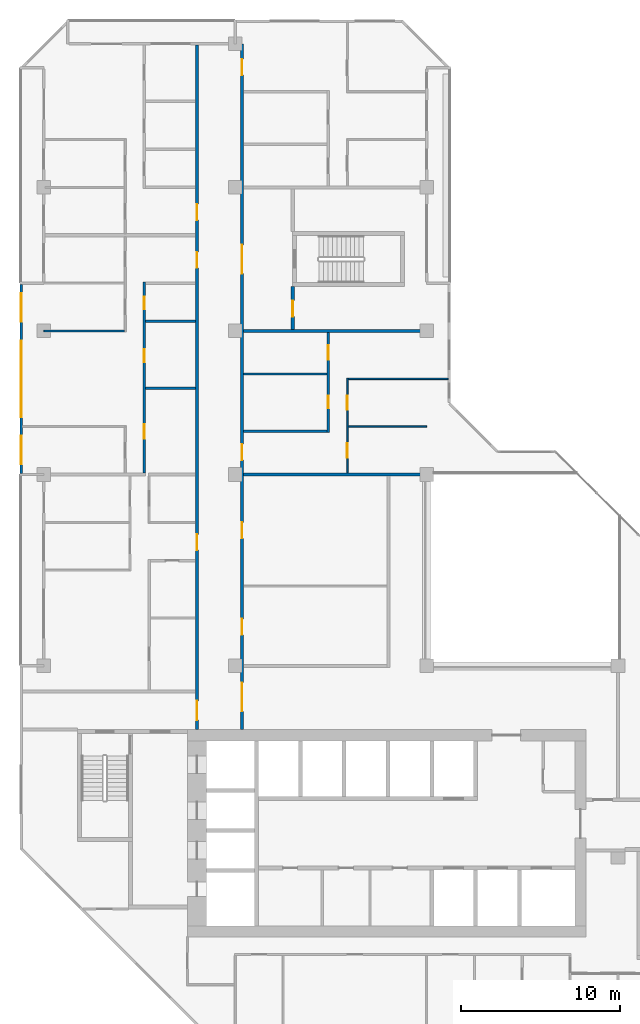
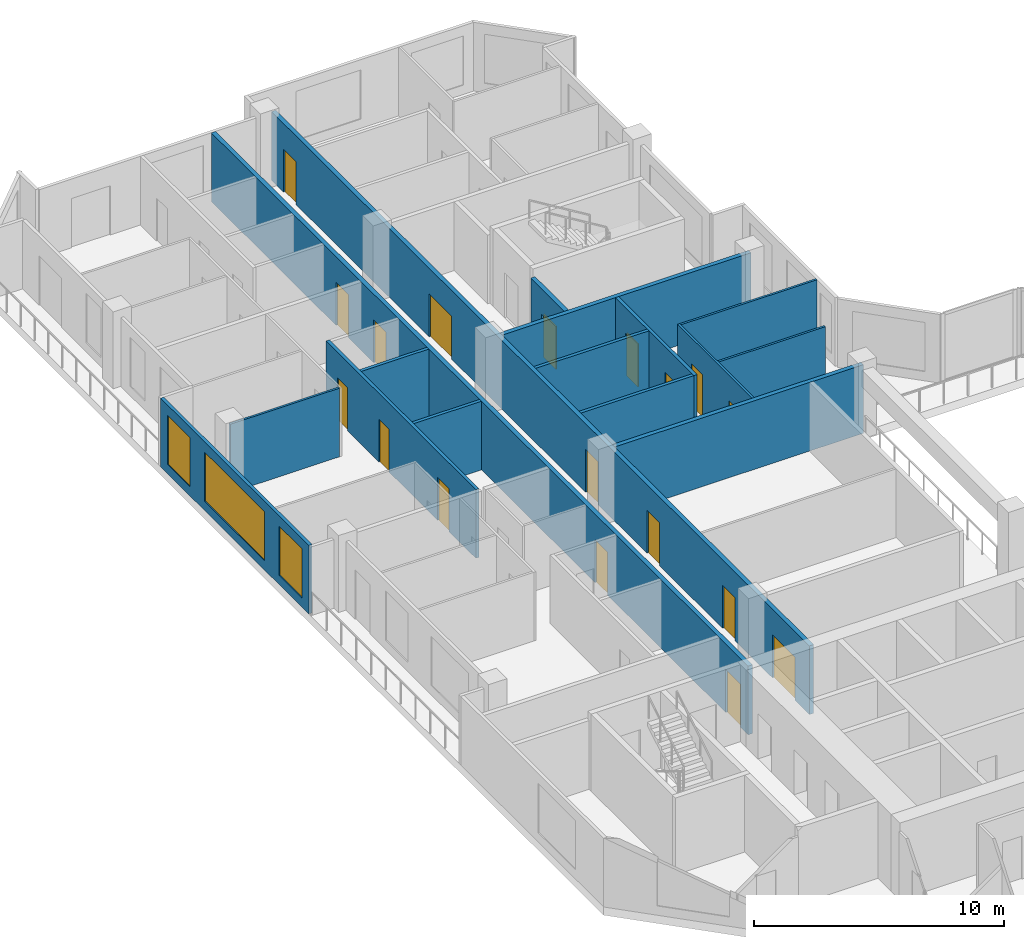
# One storey, part 9 of 14: 18 doors, 16 walls, 3 windows, 21 openings.
"""IFC4 building model written with IfcOpenShell, lengths in metres."""

from ifc_helpers import new_model, si_unit, direction, frame, frame_2d, origin, place, context, subcontext, project, spatial, rectangle, extrude, material, layer, layer_set, type_object, element, fill, save


model = new_model("IFC4")

# Units and contexts
model_context = context("Model", 3, precision=1e-05, world=origin(), true_north=direction((0.0, 1.0)))
body_context = subcontext(model_context, "Body", "Model", "MODEL_VIEW")
ifc_project = project(units=[si_unit("LENGTHUNIT", "METRE"), si_unit("AREAUNIT", "SQUARE_METRE"), si_unit("VOLUMEUNIT", "CUBIC_METRE"), si_unit("PLANEANGLEUNIT", "RADIAN"), si_unit("MASSUNIT", "GRAM", prefix="KILO")], contexts=[model_context])

# Site, building, storey
site_placement = place(None, origin())
site = spatial("IfcSite", under=ifc_project, at=site_placement, CompositionType="ELEMENT")
building_placement = place(site_placement, origin())
building = spatial("IfcBuilding", under=site, at=building_placement, Name="Chenar Terraces", CompositionType="ELEMENT")
storey_placement = place(building_placement, frame((0.0, 0.0, 237.89990234375)))
storey = spatial("IfcBuildingStorey", under=building, at=storey_placement, Name="L56", CompositionType="ELEMENT", Elevation=237.89990234375)

# Wall, openings, doors
ifc_material_1 = material(Name="Gypsum board on steel studs with fire boards", Category="steel")
ifc_layer_1 = layer(ifc_material_1, 0.199951171875)
ifc_layer_set_1 = layer_set([ifc_layer_1], Name="Gypsum board on steel studs with fire boards")
wall_type_1 = type_object("IfcWallType", Name="Corridor wall 200", PredefinedType="PARTITIONING", material=ifc_layer_set_1)
wall_1_placement = place(storey_placement, frame((9.60009765625, 20.0, 0.0), z_axis=(0.0, 0.0, 1.0), x_axis=(0.0, 1.0, 0.0)))
wall_1 = element("IfcWall", 1, at=wall_1_placement, inside=storey, type_object=wall_type_1, Name="Partition L56-033", PredefinedType="PARTITIONING", context=body_context, shape_type="SweptSolid", body=[
    extrude(rectangle(XDim=42.926025390625, YDim=0.199951171875, at=frame_2d((21.462890625, 0.0))), origin(), (0.0, 0.0, 1.0), 3.35009765625),
])
opening_1_placement = place(wall_1_placement, frame((28.949951171875, 0.0, 0.0)))
opening_1 = element("IfcOpeningElement", 2, at=opening_1_placement, cuts=wall_1, Name="Opening DL56-28", PredefinedType="OPENING", context=body_context, shape_type="SweptSolid", body=[
    extrude(rectangle(XDim=1.0, YDim=2.10009765625, at=frame_2d((0.5, 1.050048828125))), frame((0.0, 0.10986328125, 0.0), z_axis=(0.0, -1.0, 0.0), x_axis=(1.0, 0.0, 0.0)), (0.0, 0.0, 1.0), 0.219970703125),
])
opening_2_placement = place(wall_1_placement, frame((31.949951171875, 0.0, 0.0)))
opening_2 = element("IfcOpeningElement", 3, at=opening_2_placement, cuts=wall_1, Name="Opening DL56-34", PredefinedType="OPENING", context=body_context, shape_type="SweptSolid", body=[
    extrude(rectangle(XDim=1.0, YDim=2.10009765625, at=frame_2d((0.5, 1.050048828125))), frame((0.0, 0.10986328125, 0.0), z_axis=(0.0, -1.0, 0.0), x_axis=(1.0, 0.0, 0.0)), (0.0, 0.0, 1.0), 0.219970703125),
])
opening_3_placement = place(wall_1_placement, frame((0.60009765625, 0.0, 0.0)))
opening_3 = element("IfcOpeningElement", 4, at=opening_3_placement, cuts=wall_1, Name="Opening DL56-38", PredefinedType="OPENING", context=body_context, shape_type="SweptSolid", body=[
    extrude(rectangle(XDim=1.199951171875, YDim=2.10009765625, at=frame_2d((0.60009765625, 1.050048828125))), frame((0.0, 0.10986328125, 0.0), z_axis=(0.0, -1.0, 0.0), x_axis=(1.0, 0.0, 0.0)), (0.0, 0.0, 1.0), 0.219970703125),
])
opening_4_placement = place(wall_1_placement, frame((11.25, 0.0, 0.0)))
opening_4 = element("IfcOpeningElement", 5, at=opening_4_placement, cuts=wall_1, Name="Opening DL56-63", PredefinedType="OPENING", context=body_context, shape_type="SweptSolid", body=[
    extrude(rectangle(XDim=1.0, YDim=2.10009765625, at=frame_2d((0.5, 1.050048828125))), frame((0.0, 0.10986328125, 0.0), z_axis=(0.0, -1.0, 0.0), x_axis=(1.0, 0.0, 0.0)), (0.0, 0.0, 1.0), 0.219970703125),
])
ifc_material_2 = material(Name="Steel-framed fire-resisting door leaf", Category="steel")
door_type_1 = type_object("IfcDoorType", Name="Fire door FD30S 1000 x 2100", OperationType="SINGLE_SWING_LEFT", PredefinedType="DOOR", material=ifc_material_2)
door_1_placement = place(opening_1_placement, origin())
door_1 = element("IfcDoor", 6, at=door_1_placement, inside=storey, type_object=door_type_1, Name="Door DL56-28", OperationType="SINGLE_SWING_LEFT", OverallHeight=2.10009765625, OverallWidth=1.0, PredefinedType="DOOR", context=body_context, shape_type="SweptSolid", body=[
    extrude(rectangle(XDim=1.0, YDim=2.10009765625, at=frame_2d((0.5, 1.050048828125))), frame((0.0, 0.02490234375, 0.0), z_axis=(0.0, -1.0, 0.0), x_axis=(1.0, 0.0, 0.0)), (0.0, 0.0, 1.0), 0.050048828125),
])
fill(opening_1, door_1)
door_2_placement = place(opening_2_placement, origin())
door_2 = element("IfcDoor", 7, at=door_2_placement, inside=storey, type_object=door_type_1, Name="Door DL56-34", OperationType="SINGLE_SWING_LEFT", OverallHeight=2.10009765625, OverallWidth=1.0, PredefinedType="DOOR", context=body_context, shape_type="SweptSolid", body=[
    extrude(rectangle(XDim=1.0, YDim=2.10009765625, at=frame_2d((0.5, 1.050048828125))), frame((0.0, 0.02490234375, 0.0), z_axis=(0.0, -1.0, 0.0), x_axis=(1.0, 0.0, 0.0)), (0.0, 0.0, 1.0), 0.050048828125),
])
fill(opening_2, door_2)
door_3_placement = place(opening_4_placement, origin())
door_3 = element("IfcDoor", 8, at=door_3_placement, inside=storey, type_object=door_type_1, Name="Door DL56-63", OperationType="SINGLE_SWING_LEFT", OverallHeight=2.10009765625, OverallWidth=1.0, PredefinedType="DOOR", context=body_context, shape_type="SweptSolid", body=[
    extrude(rectangle(XDim=1.0, YDim=2.10009765625, at=frame_2d((0.5, 1.050048828125))), frame((0.0, 0.02490234375, 0.0), z_axis=(0.0, -1.0, 0.0), x_axis=(1.0, 0.0, 0.0)), (0.0, 0.0, 1.0), 0.050048828125),
])
fill(opening_4, door_3)
ifc_material_3 = material(Name="Steel-framed fire-resisting door leaf", Category="steel")
door_type_2 = type_object("IfcDoorType", Name="Fire door FD30S 1200 x 2100", OperationType="SINGLE_SWING_LEFT", PredefinedType="DOOR", material=ifc_material_3)
door_4_placement = place(opening_3_placement, origin())
door_4 = element("IfcDoor", 9, at=door_4_placement, inside=storey, type_object=door_type_2, Name="Door DL56-38", OperationType="SINGLE_SWING_RIGHT", OverallHeight=2.10009765625, OverallWidth=1.199951171875, PredefinedType="DOOR", context=body_context, shape_type="SweptSolid", body=[
    extrude(rectangle(XDim=1.199951171875, YDim=2.10009765625, at=frame_2d((0.60009765625, 1.050048828125))), frame((0.0, 0.02490234375, 0.0), z_axis=(0.0, -1.0, 0.0), x_axis=(1.0, 0.0, 0.0)), (0.0, 0.0, 1.0), 0.050048828125),
])
fill(opening_3, door_4)

wall_2_placement = place(storey_placement, frame((12.425048828125, 20.0, 0.0), z_axis=(0.0, 0.0, 1.0), x_axis=(0.0, 1.0, 0.0)))
wall_2 = element("IfcWall", 10, at=wall_2_placement, inside=storey, type_object=wall_type_1, Name="Partition L56-036", PredefinedType="PARTITIONING", context=body_context, shape_type="SweptSolid", body=[
    extrude(rectangle(XDim=43.0, YDim=0.199951171875, at=frame_2d((21.5, 0.0))), origin(), (0.0, 0.0, 1.0), 3.35009765625),
])
opening_5_placement = place(wall_2_placement, frame((5.949951171875, 0.0, 0.0)))
opening_5 = element("IfcOpeningElement", 11, at=opening_5_placement, cuts=wall_2, Name="Opening DL56-1", PredefinedType="OPENING", context=body_context, shape_type="SweptSolid", body=[
    extrude(rectangle(XDim=1.0, YDim=2.10009765625, at=frame_2d((0.5, 1.050048828125))), frame((0.0, 0.10986328125, 0.0), z_axis=(0.0, -1.0, 0.0), x_axis=(1.0, 0.0, 0.0)), (0.0, 0.0, 1.0), 0.219970703125),
])
opening_6_placement = place(wall_2_placement, frame((12.0, 0.0, 0.0)))
opening_6 = element("IfcOpeningElement", 12, at=opening_6_placement, cuts=wall_2, Name="Opening DL56-2", PredefinedType="OPENING", context=body_context, shape_type="SweptSolid", body=[
    extrude(rectangle(XDim=1.0, YDim=2.10009765625, at=frame_2d((0.5, 1.050048828125))), frame((0.0, 0.10986328125, 0.0), z_axis=(0.0, -1.0, 0.0), x_axis=(1.0, 0.0, 0.0)), (0.0, 0.0, 1.0), 0.219970703125),
])
opening_7_placement = place(wall_2_placement, frame((16.89990234375, 0.0, 0.0)))
opening_7 = element("IfcOpeningElement", 13, at=opening_7_placement, cuts=wall_2, Name="Opening DL56-17", PredefinedType="OPENING", context=body_context, shape_type="SweptSolid", body=[
    extrude(rectangle(XDim=1.0, YDim=2.10009765625, at=frame_2d((0.5, 1.050048828125))), frame((0.0, 0.10986328125, 0.0), z_axis=(0.0, -1.0, 0.0), x_axis=(1.0, 0.0, 0.0)), (0.0, 0.0, 1.0), 0.219970703125),
])
opening_8_placement = place(wall_2_placement, frame((41.050048828125, 0.0, 0.0)))
opening_8 = element("IfcOpeningElement", 14, at=opening_8_placement, cuts=wall_2, Name="Opening DL56-22", PredefinedType="OPENING", context=body_context, shape_type="SweptSolid", body=[
    extrude(rectangle(XDim=1.0, YDim=2.10009765625, at=frame_2d((0.5, 1.050048828125))), frame((0.0, 0.10986328125, 0.0), z_axis=(0.0, -1.0, 0.0), x_axis=(1.0, 0.0, 0.0)), (0.0, 0.0, 1.0), 0.219970703125),
])
opening_9_placement = place(wall_2_placement, frame((1.14990234375, 0.0, 0.0)))
opening_9 = element("IfcOpeningElement", 15, at=opening_9_placement, cuts=wall_2, Name="Opening DL56-37", PredefinedType="OPENING", context=body_context, shape_type="SweptSolid", body=[
    extrude(rectangle(XDim=1.800048828125, YDim=2.10009765625, at=frame_2d((0.89990234375, 1.050048828125))), frame((0.0, 0.10986328125, 0.0), z_axis=(0.0, -1.0, 0.0), x_axis=(1.0, 0.0, 0.0)), (0.0, 0.0, 1.0), 0.219970703125),
])
opening_10_placement = place(wall_2_placement, frame((28.60009765625, 0.0, 0.0)))
opening_10 = element("IfcOpeningElement", 16, at=opening_10_placement, cuts=wall_2, Name="Opening DL56-39", PredefinedType="OPENING", context=body_context, shape_type="SweptSolid", body=[
    extrude(rectangle(XDim=1.800048828125, YDim=2.10009765625, at=frame_2d((0.89990234375, 1.050048828125))), frame((0.0, 0.10986328125, 0.0), z_axis=(0.0, -1.0, 0.0), x_axis=(1.0, 0.0, 0.0)), (0.0, 0.0, 1.0), 0.219970703125),
])
ifc_material_4 = material(Name="Steel-framed fire-resisting door leaf", Category="steel")
door_type_3 = type_object("IfcDoorType", Name="Fire door FD60 1000 x 2100", OperationType="SINGLE_SWING_LEFT", PredefinedType="DOOR", material=ifc_material_4)
door_5_placement = place(opening_5_placement, frame((1.0, 0.0, 0.0), z_axis=(0.0, 0.0, 1.0), x_axis=(-1.0, 0.0, 0.0)))
door_5 = element("IfcDoor", 17, at=door_5_placement, inside=storey, type_object=door_type_3, Name="Door DL56-1", OperationType="SINGLE_SWING_LEFT", OverallHeight=2.10009765625, OverallWidth=1.0, PredefinedType="DOOR", context=body_context, shape_type="SweptSolid", body=[
    extrude(rectangle(XDim=1.0, YDim=2.10009765625, at=frame_2d((0.5, 1.050048828125))), frame((0.0, 0.02490234375, 0.0), z_axis=(0.0, -1.0, 0.0), x_axis=(1.0, 0.0, 0.0)), (0.0, 0.0, 1.0), 0.050048828125),
])
fill(opening_5, door_5)
door_6_placement = place(opening_6_placement, frame((1.0, 0.0, 0.0), z_axis=(0.0, 0.0, 1.0), x_axis=(-1.0, 0.0, 0.0)))
door_6 = element("IfcDoor", 18, at=door_6_placement, inside=storey, type_object=door_type_3, Name="Door DL56-2", OperationType="SINGLE_SWING_LEFT", OverallHeight=2.10009765625, OverallWidth=1.0, PredefinedType="DOOR", context=body_context, shape_type="SweptSolid", body=[
    extrude(rectangle(XDim=1.0, YDim=2.10009765625, at=frame_2d((0.5, 1.050048828125))), frame((0.0, 0.02490234375, 0.0), z_axis=(0.0, -1.0, 0.0), x_axis=(1.0, 0.0, 0.0)), (0.0, 0.0, 1.0), 0.050048828125),
])
fill(opening_6, door_6)
door_7_placement = place(opening_7_placement, frame((1.0, 0.0, 0.0), z_axis=(0.0, 0.0, 1.0), x_axis=(-1.0, 0.0, 0.0)))
door_7 = element("IfcDoor", 19, at=door_7_placement, inside=storey, type_object=door_type_3, Name="Door DL56-17", OperationType="SINGLE_SWING_LEFT", OverallHeight=2.10009765625, OverallWidth=1.0, PredefinedType="DOOR", context=body_context, shape_type="SweptSolid", body=[
    extrude(rectangle(XDim=1.0, YDim=2.10009765625, at=frame_2d((0.5, 1.050048828125))), frame((0.0, 0.02490234375, 0.0), z_axis=(0.0, -1.0, 0.0), x_axis=(1.0, 0.0, 0.0)), (0.0, 0.0, 1.0), 0.050048828125),
])
fill(opening_7, door_7)
door_8_placement = place(opening_8_placement, frame((1.0, 0.0, 0.0), z_axis=(0.0, 0.0, 1.0), x_axis=(-1.0, 0.0, 0.0)))
door_8 = element("IfcDoor", 20, at=door_8_placement, inside=storey, type_object=door_type_3, Name="Door DL56-22", OperationType="SINGLE_SWING_RIGHT", OverallHeight=2.10009765625, OverallWidth=1.0, PredefinedType="DOOR", context=body_context, shape_type="SweptSolid", body=[
    extrude(rectangle(XDim=1.0, YDim=2.10009765625, at=frame_2d((0.5, 1.050048828125))), frame((0.0, 0.02490234375, 0.0), z_axis=(0.0, -1.0, 0.0), x_axis=(1.0, 0.0, 0.0)), (0.0, 0.0, 1.0), 0.050048828125),
])
fill(opening_8, door_8)
ifc_material_5 = material(Name="Steel-framed fire-resisting door leaf", Category="steel")
door_type_4 = type_object("IfcDoorType", Name="Fire double door FD60 1800 x 2100", OperationType="DOUBLE_DOOR_SINGLE_SWING", PredefinedType="DOOR", material=ifc_material_5)
door_9_placement = place(opening_9_placement, frame((1.800048828125, 0.0, 0.0), z_axis=(0.0, 0.0, 1.0), x_axis=(-1.0, 0.0, 0.0)))
door_9 = element("IfcDoor", 21, at=door_9_placement, inside=storey, type_object=door_type_4, Name="Door DL56-37", OperationType="DOUBLE_DOOR_SINGLE_SWING", OverallHeight=2.10009765625, OverallWidth=1.800048828125, PredefinedType="DOOR", context=body_context, shape_type="SweptSolid", body=[
    extrude(rectangle(XDim=1.800048828125, YDim=2.10009765625, at=frame_2d((0.89990234375, 1.050048828125))), frame((0.0, 0.02490234375, 0.0), z_axis=(0.0, -1.0, 0.0), x_axis=(1.0, 0.0, 0.0)), (0.0, 0.0, 1.0), 0.050048828125),
])
fill(opening_9, door_9)
door_10_placement = place(opening_10_placement, frame((1.800048828125, 0.0, 0.0), z_axis=(0.0, 0.0, 1.0), x_axis=(-1.0, 0.0, 0.0)))
door_10 = element("IfcDoor", 22, at=door_10_placement, inside=storey, type_object=door_type_4, Name="Door DL56-39", OperationType="DOUBLE_DOOR_SINGLE_SWING", OverallHeight=2.10009765625, OverallWidth=1.800048828125, PredefinedType="DOOR", context=body_context, shape_type="SweptSolid", body=[
    extrude(rectangle(XDim=1.800048828125, YDim=2.10009765625, at=frame_2d((0.89990234375, 1.050048828125))), frame((0.0, 0.02490234375, 0.0), z_axis=(0.0, -1.0, 0.0), x_axis=(1.0, 0.0, 0.0)), (0.0, 0.0, 1.0), 0.050048828125),
])
fill(opening_10, door_10)

# Wall, opening, door
wall_3_placement = place(storey_placement, frame((15.60009765625, 45.10009765625, 0.0), z_axis=(0.0, 0.0, 1.0), x_axis=(0.0, 1.0, 0.0)))
wall_3 = element("IfcWall", 23, at=wall_3_placement, inside=storey, type_object=wall_type_1, Name="Partition L56-047", PredefinedType="PARTITIONING", context=body_context, shape_type="SweptSolid", body=[
    extrude(rectangle(XDim=2.6748046875, YDim=0.199951171875, at=frame_2d((1.33740234375, 0.0))), origin(), (0.0, 0.0, 1.0), 3.35009765625),
])
opening_11_placement = place(wall_3_placement, frame((0.800048828125, 0.0, 0.0)))
opening_11 = element("IfcOpeningElement", 24, at=opening_11_placement, cuts=wall_3, Name="Opening DL56-41", PredefinedType="OPENING", context=body_context, shape_type="SweptSolid", body=[
    extrude(rectangle(XDim=1.0, YDim=2.10009765625, at=frame_2d((0.5, 1.050048828125))), frame((0.0, 0.10986328125, 0.0), z_axis=(0.0, -1.0, 0.0), x_axis=(1.0, 0.0, 0.0)), (0.0, 0.0, 1.0), 0.219970703125),
])
door_11_placement = place(opening_11_placement, frame((1.0, 0.0, 0.0), z_axis=(0.0, 0.0, 1.0), x_axis=(-1.0, 0.0, 0.0)))
door_11 = element("IfcDoor", 25, at=door_11_placement, inside=storey, type_object=door_type_3, Name="Door DL56-41", OperationType="SINGLE_SWING_RIGHT", OverallHeight=2.10009765625, OverallWidth=1.0, PredefinedType="DOOR", context=body_context, shape_type="SweptSolid", body=[
    extrude(rectangle(XDim=1.0, YDim=2.10009765625, at=frame_2d((0.5, 1.050048828125))), frame((0.0, 0.02490234375, 0.0), z_axis=(0.0, -1.0, 0.0), x_axis=(1.0, 0.0, 0.0)), (0.0, 0.0, 1.0), 0.050048828125),
])
fill(opening_11, door_11)

# Wall, openings, windows
ifc_material_6 = material(Name="Aluminium framed glazing", Category="aluminium")
ifc_layer_2 = layer(ifc_material_6, 0.14990234375)
ifc_layer_set_2 = layer_set([ifc_layer_2], Name="Aluminium framed glazing")
wall_type_2 = type_object("IfcWallType", Name="Glazed flush facade wall 150", PredefinedType="SOLIDWALL", material=ifc_layer_set_2)
wall_4_placement = place(storey_placement, frame((-1.425048828125, 47.925048828125, 0.0), z_axis=(0.0, 0.0, 1.0), x_axis=(0.0, -1.0, 0.0)))
wall_4 = element("IfcWall", 26, at=wall_4_placement, inside=storey, type_object=wall_type_2, Name="Glazed flush facade wall", PredefinedType="SOLIDWALL", context=body_context, shape_type="SweptSolid", body=[
    extrude(rectangle(XDim=11.85009765625, YDim=0.14990234375, at=frame_2d((5.925048828125, 0.0))), origin(), (0.0, 0.0, 1.0), 3.35009765625),
])
opening_12_placement = place(wall_4_placement, frame((0.5625, 0.0, 0.449951171875)))
opening_12 = element("IfcOpeningElement", 27, at=opening_12_placement, cuts=wall_4, Name="Opening W180x240", PredefinedType="OPENING", context=body_context, shape_type="SweptSolid", body=[
    extrude(rectangle(XDim=1.800048828125, YDim=2.39990234375, at=frame_2d((0.89990234375, 1.199951171875))), frame((0.0, 0.0849609375, 0.0), z_axis=(0.0, -1.0, 0.0), x_axis=(1.0, 0.0, 0.0)), (0.0, 0.0, 1.0), 0.169921875),
])
opening_13_placement = place(wall_4_placement, frame((3.52490234375, 0.0, 0.449951171875)))
opening_13 = element("IfcOpeningElement", 28, at=opening_13_placement, cuts=wall_4, Name="Opening W480x240", PredefinedType="OPENING", context=body_context, shape_type="SweptSolid", body=[
    extrude(rectangle(XDim=4.800048828125, YDim=2.39990234375, at=frame_2d((2.39990234375, 1.199951171875))), frame((0.0, 0.0849609375, 0.0), z_axis=(0.0, -1.0, 0.0), x_axis=(1.0, 0.0, 0.0)), (0.0, 0.0, 1.0), 0.169921875),
])
opening_14_placement = place(wall_4_placement, frame((9.487548828125, 0.0, 0.449951171875)))
opening_14 = element("IfcOpeningElement", 29, at=opening_14_placement, cuts=wall_4, Name="Opening W180x240", PredefinedType="OPENING", context=body_context, shape_type="SweptSolid", body=[
    extrude(rectangle(XDim=1.800048828125, YDim=2.39990234375, at=frame_2d((0.89990234375, 1.199951171875))), frame((0.0, 0.0849609375, 0.0), z_axis=(0.0, -1.0, 0.0), x_axis=(1.0, 0.0, 0.0)), (0.0, 0.0, 1.0), 0.169921875),
])
ifc_material_7 = material(Name="Low emissivity double glazing, aluminium frame", Category="aluminium")
window_type_1 = type_object("IfcWindowType", Name="Fixed light 1800 x 2400", PartitioningType="SINGLE_PANEL", PredefinedType="WINDOW", material=ifc_material_7)
window_1_placement = place(opening_12_placement, origin())
window_1 = element("IfcWindow", 30, at=window_1_placement, inside=storey, type_object=window_type_1, Name="Window", OverallHeight=2.39990234375, OverallWidth=1.800048828125, PartitioningType="SINGLE_PANEL", PredefinedType="WINDOW", context=body_context, shape_type="SweptSolid", body=[
    extrude(rectangle(XDim=1.800048828125, YDim=2.39990234375, at=frame_2d((0.89990234375, 1.199951171875))), frame((0.0, 0.030029296875, 0.0), z_axis=(0.0, -1.0, 0.0), x_axis=(1.0, 0.0, 0.0)), (0.0, 0.0, 1.0), 0.06005859375),
])
fill(opening_12, window_1)
window_2_placement = place(opening_14_placement, origin())
window_2 = element("IfcWindow", 31, at=window_2_placement, inside=storey, type_object=window_type_1, Name="Window", OverallHeight=2.39990234375, OverallWidth=1.800048828125, PartitioningType="SINGLE_PANEL", PredefinedType="WINDOW", context=body_context, shape_type="SweptSolid", body=[
    extrude(rectangle(XDim=1.800048828125, YDim=2.39990234375, at=frame_2d((0.89990234375, 1.199951171875))), frame((0.0, 0.030029296875, 0.0), z_axis=(0.0, -1.0, 0.0), x_axis=(1.0, 0.0, 0.0)), (0.0, 0.0, 1.0), 0.06005859375),
])
fill(opening_14, window_2)
ifc_material_8 = material(Name="Low emissivity double glazing, aluminium frame", Category="aluminium")
window_type_2 = type_object("IfcWindowType", Name="Fixed light 4800 x 2400", PartitioningType="SINGLE_PANEL", PredefinedType="WINDOW", material=ifc_material_8)
window_3_placement = place(opening_13_placement, origin())
window_3 = element("IfcWindow", 32, at=window_3_placement, inside=storey, type_object=window_type_2, Name="Window", OverallHeight=2.39990234375, OverallWidth=4.800048828125, PartitioningType="SINGLE_PANEL", PredefinedType="WINDOW", context=body_context, shape_type="SweptSolid", body=[
    extrude(rectangle(XDim=4.800048828125, YDim=2.39990234375, at=frame_2d((2.39990234375, 1.199951171875))), frame((0.0, 0.030029296875, 0.0), z_axis=(0.0, -1.0, 0.0), x_axis=(1.0, 0.0, 0.0)), (0.0, 0.0, 1.0), 0.06005859375),
])
fill(opening_13, window_3)

# Wall
ifc_material_9 = material(Name="Gypsum board on steel studs", Category="steel")
ifc_layer_3 = layer(ifc_material_9, 0.10009765625)
ifc_layer_set_3 = layer_set([ifc_layer_3], Name="Gypsum board on steel studs")
wall_type_3 = type_object("IfcWallType", Name="Gypsum partition 100", PredefinedType="PARTITIONING", material=ifc_layer_set_3)
wall_5_placement = place(storey_placement, frame((0.0, 45.0, 0.0), z_axis=(0.0, 0.0, 1.0), x_axis=(1.0, 0.0, 0.0)))
element("IfcWall", 33, at=wall_5_placement, inside=storey, type_object=wall_type_3, Name="Partition L56-005", PredefinedType="PARTITIONING", context=body_context, shape_type="SweptSolid", body=[
    extrude(rectangle(XDim=5.050048828125, YDim=0.10009765625, at=frame_2d((2.52490234375, 0.0))), origin(), (0.0, 0.0, 1.0), 3.35009765625),
])

# Wall, openings, doors
wall_6_placement = place(storey_placement, frame((19.02490234375, 36.10009765625, 0.0), z_axis=(0.0, 0.0, 1.0), x_axis=(0.0, 1.0, 0.0)))
wall_6 = element("IfcWall", 34, at=wall_6_placement, inside=storey, type_object=wall_type_3, Name="Partition L56-053", PredefinedType="PARTITIONING", context=body_context, shape_type="SweptSolid", body=[
    extrude(rectangle(XDim=5.949951171875, YDim=0.10009765625, at=frame_2d((2.97509765625, 0.0))), origin(), (0.0, 0.0, 1.0), 3.35009765625),
])
opening_15_placement = place(wall_6_placement, frame((0.949951171875, 0.0, 0.0)))
opening_15 = element("IfcOpeningElement", 35, at=opening_15_placement, cuts=wall_6, Name="Opening DL56-14", PredefinedType="OPENING", context=body_context, shape_type="SweptSolid", body=[
    extrude(rectangle(XDim=0.89990234375, YDim=2.10009765625, at=frame_2d((0.449951171875, 1.050048828125))), frame((0.0, 0.06005859375, 0.0), z_axis=(0.0, -1.0, 0.0), x_axis=(1.0, 0.0, 0.0)), (0.0, 0.0, 1.0), 0.1201171875),
])
opening_16_placement = place(wall_6_placement, frame((3.949951171875, 0.0, 0.0)))
opening_16 = element("IfcOpeningElement", 36, at=opening_16_placement, cuts=wall_6, Name="Opening DL56-15", PredefinedType="OPENING", context=body_context, shape_type="SweptSolid", body=[
    extrude(rectangle(XDim=0.89990234375, YDim=2.10009765625, at=frame_2d((0.449951171875, 1.050048828125))), frame((0.0, 0.06005859375, 0.0), z_axis=(0.0, -1.0, 0.0), x_axis=(1.0, 0.0, 0.0)), (0.0, 0.0, 1.0), 0.1201171875),
])
ifc_material_10 = material(Name="Veneered timber door leaf", Category="wood")
door_type_5 = type_object("IfcDoorType", Name="Door 900 x 2100", OperationType="SINGLE_SWING_LEFT", PredefinedType="DOOR", material=ifc_material_10)
door_12_placement = place(opening_15_placement, frame((0.89990234375, 0.0, 0.0), z_axis=(0.0, 0.0, 1.0), x_axis=(-1.0, 0.0, 0.0)))
door_12 = element("IfcDoor", 37, at=door_12_placement, inside=storey, type_object=door_type_5, Name="Door DL56-14", OperationType="SINGLE_SWING_LEFT", OverallHeight=2.10009765625, OverallWidth=0.89990234375, PredefinedType="DOOR", context=body_context, shape_type="SweptSolid", body=[
    extrude(rectangle(XDim=0.89990234375, YDim=2.10009765625, at=frame_2d((0.449951171875, 1.050048828125))), frame((0.0, 0.02490234375, 0.0), z_axis=(0.0, -1.0, 0.0), x_axis=(1.0, 0.0, 0.0)), (0.0, 0.0, 1.0), 0.050048828125),
])
fill(opening_15, door_12)
door_13_placement = place(opening_16_placement, frame((0.89990234375, 0.0, 0.0), z_axis=(0.0, 0.0, 1.0), x_axis=(-1.0, 0.0, 0.0)))
door_13 = element("IfcDoor", 38, at=door_13_placement, inside=storey, type_object=door_type_5, Name="Door DL56-15", OperationType="SINGLE_SWING_LEFT", OverallHeight=2.10009765625, OverallWidth=0.89990234375, PredefinedType="DOOR", context=body_context, shape_type="SweptSolid", body=[
    extrude(rectangle(XDim=0.89990234375, YDim=2.10009765625, at=frame_2d((0.449951171875, 1.050048828125))), frame((0.0, 0.02490234375, 0.0), z_axis=(0.0, -1.0, 0.0), x_axis=(1.0, 0.0, 0.0)), (0.0, 0.0, 1.0), 0.050048828125),
])
fill(opening_16, door_13)

# Walls
wall_7_placement = place(storey_placement, frame((19.074951171875, 39.0, 0.0), z_axis=(0.0, 0.0, 1.0), x_axis=(1.0, 0.0, 0.0)))
element("IfcWall", 39, at=wall_7_placement, inside=storey, type_object=wall_type_3, Name="Partition L56-056", PredefinedType="PARTITIONING", context=body_context, shape_type="SweptSolid", body=[
    extrude(rectangle(XDim=4.925048828125, YDim=0.10009765625, at=frame_2d((2.46240234375, 0.0))), origin(), (0.0, 0.0, 1.0), 3.35009765625),
])
wall_8_placement = place(storey_placement, frame((19.074951171875, 42.0, 0.0), z_axis=(0.0, 0.0, 1.0), x_axis=(1.0, 0.0, 0.0)))
element("IfcWall", 40, at=wall_8_placement, inside=storey, type_object=wall_type_3, Name="Partition L56-057", PredefinedType="PARTITIONING", context=body_context, shape_type="SweptSolid", body=[
    extrude(rectangle(XDim=6.275146484375, YDim=0.10009765625, at=frame_2d((3.1376953125, 0.0))), origin(), (0.0, 0.0, 1.0), 3.35009765625),
])
ifc_material_11 = material(Name="Twin gypsum board on steel studs with mineral wool", Category="steel")
ifc_layer_4 = layer(ifc_material_11, 0.199951171875)
ifc_layer_set_4 = layer_set([ifc_layer_4], Name="Twin gypsum board on steel studs with mineral wool")
wall_type_4 = type_object("IfcWallType", Name="Unit demising wall 200", PredefinedType="PARTITIONING", material=ifc_layer_set_4)
for number, where, z_axis, x_axis, name in (
    (41, (12.52490234375, 36.0, 0.0), (0.0, 0.0, 1.0), (1.0, 0.0, 0.0), "Partition L56-039"),
    (42, (12.52490234375, 45.0, 0.0), (0.0, 0.0, 1.0), (1.0, 0.0, 0.0), "Partition L56-042"),
):
    element("IfcWall", number, at=place(storey_placement, frame(where, z_axis=z_axis, x_axis=x_axis)), inside=storey, type_object=wall_type_4, Name=name, PredefinedType="PARTITIONING", context=body_context, shape_type="SweptSolid", body=[
        extrude(rectangle(XDim=11.47509765625, YDim=0.199951171875, at=frame_2d((5.737548828125, 0.0))), origin(), (0.0, 0.0, 1.0), 3.35009765625),
    ])

# Wall, openings, doors
ifc_material_12 = material(Name="Moisture-resistant gypsum board on steel studs", Category="steel")
ifc_layer_5 = layer(ifc_material_12, 0.14990234375)
ifc_layer_set_5 = layer_set([ifc_layer_5], Name="Moisture-resistant gypsum board on steel studs")
wall_type_5 = type_object("IfcWallType", Name="Wet-room partition 150", PredefinedType="PARTITIONING", material=ifc_layer_set_5)
wall_9_placement = place(storey_placement, frame((6.300048828125, 36.10009765625, 0.0), z_axis=(0.0, 0.0, 1.0), x_axis=(0.0, 1.0, 0.0)))
wall_9 = element("IfcWall", 43, at=wall_9_placement, inside=storey, type_object=wall_type_5, Name="Partition L56-017", PredefinedType="PARTITIONING", context=body_context, shape_type="SweptSolid", body=[
    extrude(rectangle(XDim=11.974853515625, YDim=0.14990234375, at=frame_2d((5.9873046875, 0.0))), origin(), (0.0, 0.0, 1.0), 3.35009765625),
])
opening_17_placement = place(wall_9_placement, frame((6.949951171875, 0.0, 0.0)))
opening_17 = element("IfcOpeningElement", 44, at=opening_17_placement, cuts=wall_9, Name="Opening DL56-23", PredefinedType="OPENING", context=body_context, shape_type="SweptSolid", body=[
    extrude(rectangle(XDim=0.800048828125, YDim=2.10009765625, at=frame_2d((0.39990234375, 1.050048828125))), frame((0.0, 0.0849609375, 0.0), z_axis=(0.0, -1.0, 0.0), x_axis=(1.0, 0.0, 0.0)), (0.0, 0.0, 1.0), 0.169921875),
])
opening_18_placement = place(wall_9_placement, frame((2.14990234375, 0.0, 0.0)))
opening_18 = element("IfcOpeningElement", 45, at=opening_18_placement, cuts=wall_9, Name="Opening DL56-27", PredefinedType="OPENING", context=body_context, shape_type="SweptSolid", body=[
    extrude(rectangle(XDim=0.89990234375, YDim=2.10009765625, at=frame_2d((0.449951171875, 1.050048828125))), frame((0.0, 0.0849609375, 0.0), z_axis=(0.0, -1.0, 0.0), x_axis=(1.0, 0.0, 0.0)), (0.0, 0.0, 1.0), 0.169921875),
])
opening_19_placement = place(wall_9_placement, frame((10.25, 0.0, 0.0)))
opening_19 = element("IfcOpeningElement", 46, at=opening_19_placement, cuts=wall_9, Name="Opening DL56-29", PredefinedType="OPENING", context=body_context, shape_type="SweptSolid", body=[
    extrude(rectangle(XDim=0.800048828125, YDim=2.10009765625, at=frame_2d((0.39990234375, 1.050048828125))), frame((0.0, 0.0849609375, 0.0), z_axis=(0.0, -1.0, 0.0), x_axis=(1.0, 0.0, 0.0)), (0.0, 0.0, 1.0), 0.169921875),
])
ifc_material_13 = material(Name="Veneered timber door leaf", Category="wood")
door_type_6 = type_object("IfcDoorType", Name="Door 800 x 2100", OperationType="SINGLE_SWING_LEFT", PredefinedType="DOOR", material=ifc_material_13)
door_14_placement = place(opening_17_placement, frame((0.800048828125, 0.0, 0.0), z_axis=(0.0, 0.0, 1.0), x_axis=(-1.0, 0.0, 0.0)))
door_14 = element("IfcDoor", 47, at=door_14_placement, inside=storey, type_object=door_type_6, Name="Door DL56-23", OperationType="SINGLE_SWING_LEFT", OverallHeight=2.10009765625, OverallWidth=0.800048828125, PredefinedType="DOOR", context=body_context, shape_type="SweptSolid", body=[
    extrude(rectangle(XDim=0.800048828125, YDim=2.10009765625, at=frame_2d((0.39990234375, 1.050048828125))), frame((0.0, 0.02490234375, 0.0), z_axis=(0.0, -1.0, 0.0), x_axis=(1.0, 0.0, 0.0)), (0.0, 0.0, 1.0), 0.050048828125),
])
fill(opening_17, door_14)
door_15_placement = place(opening_19_placement, frame((0.800048828125, 0.0, 0.0), z_axis=(0.0, 0.0, 1.0), x_axis=(-1.0, 0.0, 0.0)))
door_15 = element("IfcDoor", 48, at=door_15_placement, inside=storey, type_object=door_type_6, Name="Door DL56-29", OperationType="SINGLE_SWING_RIGHT", OverallHeight=2.10009765625, OverallWidth=0.800048828125, PredefinedType="DOOR", context=body_context, shape_type="SweptSolid", body=[
    extrude(rectangle(XDim=0.800048828125, YDim=2.10009765625, at=frame_2d((0.39990234375, 1.050048828125))), frame((0.0, 0.02490234375, 0.0), z_axis=(0.0, -1.0, 0.0), x_axis=(1.0, 0.0, 0.0)), (0.0, 0.0, 1.0), 0.050048828125),
])
fill(opening_19, door_15)
door_16_placement = place(opening_18_placement, frame((0.89990234375, 0.0, 0.0), z_axis=(0.0, 0.0, 1.0), x_axis=(-1.0, 0.0, 0.0)))
door_16 = element("IfcDoor", 49, at=door_16_placement, inside=storey, type_object=door_type_5, Name="Door DL56-27", OperationType="SINGLE_SWING_LEFT", OverallHeight=2.10009765625, OverallWidth=0.89990234375, PredefinedType="DOOR", context=body_context, shape_type="SweptSolid", body=[
    extrude(rectangle(XDim=0.89990234375, YDim=2.10009765625, at=frame_2d((0.449951171875, 1.050048828125))), frame((0.0, 0.02490234375, 0.0), z_axis=(0.0, -1.0, 0.0), x_axis=(1.0, 0.0, 0.0)), (0.0, 0.0, 1.0), 0.050048828125),
])
fill(opening_18, door_16)

# Walls
for number, where, z_axis, x_axis, name in (
    (50, (6.375, 41.39990234375, 0.0), (0.0, 0.0, 1.0), (1.0, 0.0, 0.0), "Partition L56-019"),
    (51, (6.375, 45.60009765625, 0.0), (0.0, 0.0, 1.0), (1.0, 0.0, 0.0), "Partition L56-020"),
):
    element("IfcWall", number, at=place(storey_placement, frame(where, z_axis=z_axis, x_axis=x_axis)), inside=storey, type_object=wall_type_5, Name=name, PredefinedType="PARTITIONING", context=body_context, shape_type="SweptSolid", body=[
        extrude(rectangle(XDim=3.125, YDim=0.14990234375, at=frame_2d((1.5625, 0.0))), origin(), (0.0, 0.0, 1.0), 3.35009765625),
    ])
for number, where, z_axis, x_axis, name in (
    (52, (12.52490234375, 38.699951171875, 0.0), (0.0, 0.0, 1.0), (1.0, 0.0, 0.0), "Partition L56-040"),
    (53, (12.52490234375, 42.300048828125, 0.0), (0.0, 0.0, 1.0), (1.0, 0.0, 0.0), "Partition L56-041"),
):
    element("IfcWall", number, at=place(storey_placement, frame(where, z_axis=z_axis, x_axis=x_axis)), inside=storey, type_object=wall_type_5, Name=name, PredefinedType="PARTITIONING", context=body_context, shape_type="SweptSolid", body=[
        extrude(rectangle(XDim=5.22509765625, YDim=0.14990234375, at=frame_2d((2.612548828125, 0.0))), origin(), (0.0, 0.0, 1.0), 3.35009765625),
    ])

# Wall, openings, doors
wall_10_placement = place(storey_placement, frame((17.824951171875, 38.625, 0.0), z_axis=(0.0, 0.0, 1.0), x_axis=(0.0, 1.0, 0.0)))
wall_10 = element("IfcWall", 54, at=wall_10_placement, inside=storey, type_object=wall_type_5, Name="Partition L56-049", PredefinedType="PARTITIONING", context=body_context, shape_type="SweptSolid", body=[
    extrude(rectangle(XDim=6.27490234375, YDim=0.14990234375, at=frame_2d((3.137451171875, 0.0))), origin(), (0.0, 0.0, 1.0), 3.35009765625),
])
opening_20_placement = place(wall_10_placement, frame((1.52490234375, 0.0, 0.0)))
opening_20 = element("IfcOpeningElement", 55, at=opening_20_placement, cuts=wall_10, Name="Opening DL56-13", PredefinedType="OPENING", context=body_context, shape_type="SweptSolid", body=[
    extrude(rectangle(XDim=0.800048828125, YDim=2.10009765625, at=frame_2d((0.39990234375, 1.050048828125))), frame((0.0, 0.0849609375, 0.0), z_axis=(0.0, -1.0, 0.0), x_axis=(1.0, 0.0, 0.0)), (0.0, 0.0, 1.0), 0.169921875),
])
opening_21_placement = place(wall_10_placement, frame((4.574951171875, 0.0, 0.0)))
opening_21 = element("IfcOpeningElement", 56, at=opening_21_placement, cuts=wall_10, Name="Opening DL56-16", PredefinedType="OPENING", context=body_context, shape_type="SweptSolid", body=[
    extrude(rectangle(XDim=0.89990234375, YDim=2.10009765625, at=frame_2d((0.449951171875, 1.050048828125))), frame((0.0, 0.0849609375, 0.0), z_axis=(0.0, -1.0, 0.0), x_axis=(1.0, 0.0, 0.0)), (0.0, 0.0, 1.0), 0.169921875),
])
door_17_placement = place(opening_20_placement, origin())
door_17 = element("IfcDoor", 57, at=door_17_placement, inside=storey, type_object=door_type_6, Name="Door DL56-13", OperationType="SINGLE_SWING_RIGHT", OverallHeight=2.10009765625, OverallWidth=0.800048828125, PredefinedType="DOOR", context=body_context, shape_type="SweptSolid", body=[
    extrude(rectangle(XDim=0.800048828125, YDim=2.10009765625, at=frame_2d((0.39990234375, 1.050048828125))), frame((0.0, 0.02490234375, 0.0), z_axis=(0.0, -1.0, 0.0), x_axis=(1.0, 0.0, 0.0)), (0.0, 0.0, 1.0), 0.050048828125),
])
fill(opening_20, door_17)
door_18_placement = place(opening_21_placement, origin())
door_18 = element("IfcDoor", 58, at=door_18_placement, inside=storey, type_object=door_type_5, Name="Door DL56-16", OperationType="SINGLE_SWING_RIGHT", OverallHeight=2.10009765625, OverallWidth=0.89990234375, PredefinedType="DOOR", context=body_context, shape_type="SweptSolid", body=[
    extrude(rectangle(XDim=0.89990234375, YDim=2.10009765625, at=frame_2d((0.449951171875, 1.050048828125))), frame((0.0, 0.02490234375, 0.0), z_axis=(0.0, -1.0, 0.0), x_axis=(1.0, 0.0, 0.0)), (0.0, 0.0, 1.0), 0.050048828125),
])
fill(opening_21, door_18)

save(model, "model.ifc")
